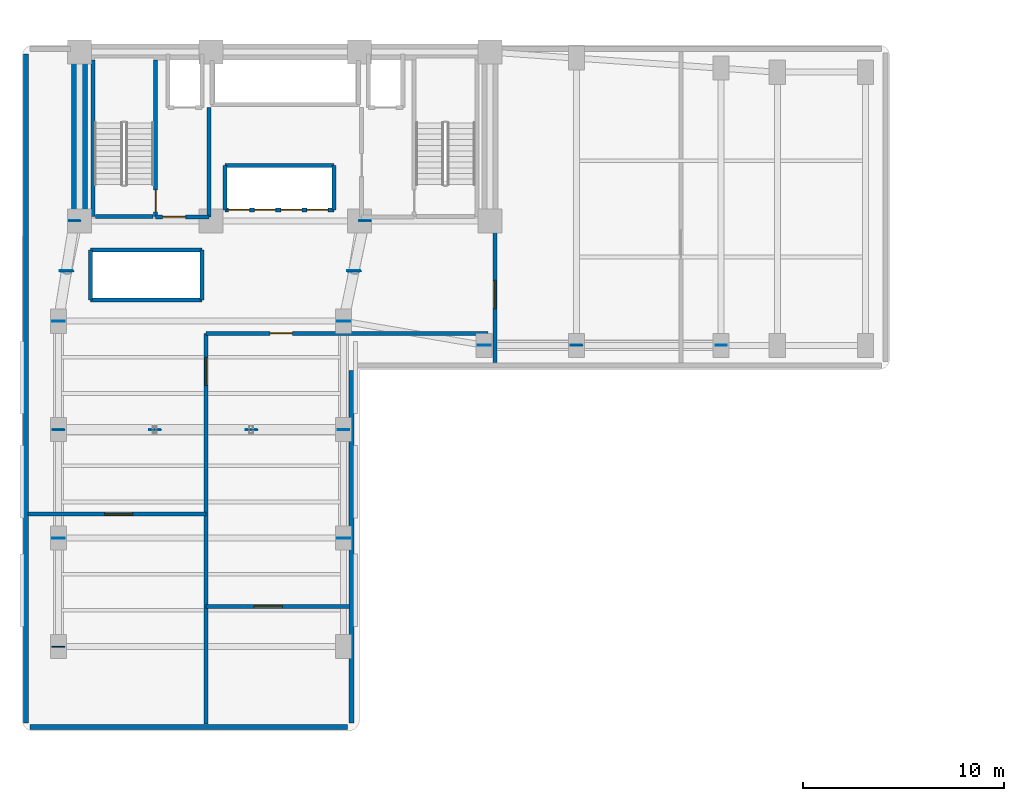
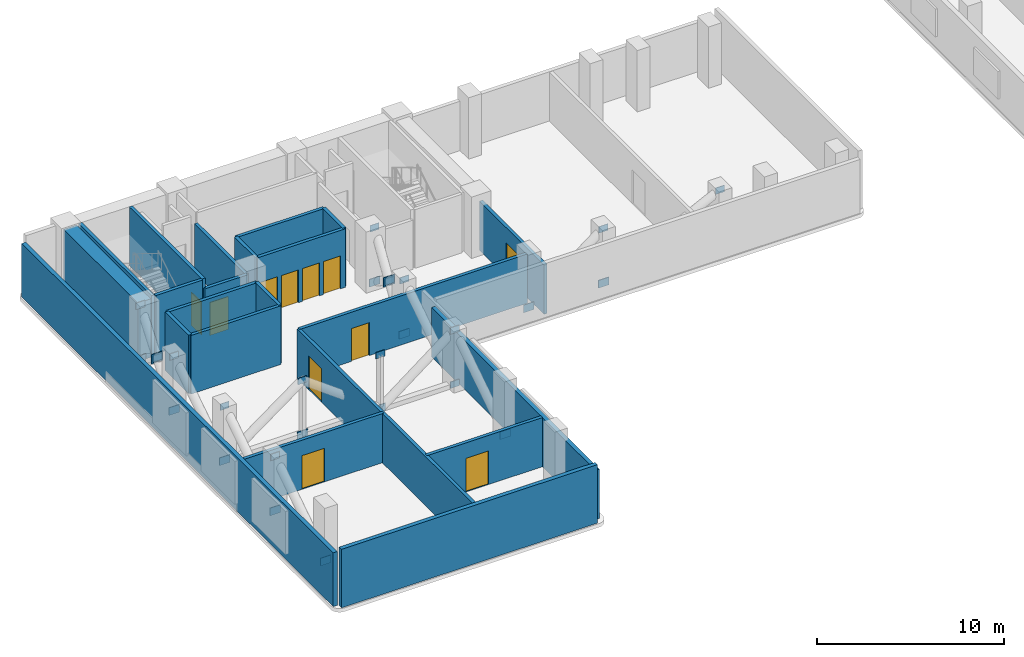
# One storey, part 4 of 9: 30 plates, 22 walls, 11 doors, 11 openings.
"""IFC4 building model written with IfcOpenShell, lengths in metres."""

from ifc_helpers import new_model, si_unit, direction, frame, frame_2d, origin, origin_2d, place, context, subcontext, project, spatial, rectangle, extrude, material, layer, layer_set, type_object, element, fill, save


model = new_model("IFC4")

# Units and contexts
model_context = context("Model", 3, precision=1e-05, world=origin(), true_north=direction((0.0, 1.0)))
body_context = subcontext(model_context, "Body", "Model", "MODEL_VIEW")
ifc_project = project(units=[si_unit("LENGTHUNIT", "METRE"), si_unit("AREAUNIT", "SQUARE_METRE"), si_unit("VOLUMEUNIT", "CUBIC_METRE"), si_unit("PLANEANGLEUNIT", "RADIAN"), si_unit("MASSUNIT", "GRAM", prefix="KILO")], contexts=[model_context])

# Site, building, storey
site_placement = place(None, origin())
site = spatial("IfcSite", under=ifc_project, at=site_placement, CompositionType="ELEMENT")
building_placement = place(site_placement, origin())
building = spatial("IfcBuilding", under=site, at=building_placement, Name="Kuzgunbayir Cultural Tower", CompositionType="ELEMENT")
storey_placement = place(building_placement, frame((0.0, 0.0, 79.39990234375)))
storey = spatial("IfcBuildingStorey", under=building, at=storey_placement, Name="L22", CompositionType="ELEMENT", Elevation=79.39990234375)

# Plates
ifc_material_1 = material(Name="Steel S460M", Category="steel")
ifc_layer_1 = layer(ifc_material_1, 0.034912109375)
ifc_layer_set_1 = layer_set([ifc_layer_1], Name="Steel S460M")
plate_type_1 = type_object("IfcPlateType", Name="PLT-CAP-END-35", PredefinedType="USERDEFINED", material=ifc_layer_set_1)
for number, where, z_axis, x_axis, name in (
    (1, (5.800048828125, 31.280029296875, 1.66015625), (0.0, 0.0, 1.0), (1.0, 0.0, 0.0), "L22 Hollow End Cap Plate ONT-L22-XW-B1 End"),
    (2, (6.199951171875, 33.800048828125, 3.440185546875), (0.0, 0.0, 1.0), (1.0, 0.0, 0.0), "L22 Hollow End Cap Plate ONT-L22-XW-B2 End"),
    (3, (20.1201171875, 31.280029296875, 1.66015625), (0.0, 0.0, 1.0), (1.0, 0.0, 0.0), "L22 Hollow End Cap Plate ONT-L22-XE-B1 End"),
    (4, (20.64990234375, 33.800048828125, 3.440185546875), (0.0, 0.0, 1.0), (1.0, 0.0, 0.0), "L22 Hollow End Cap Plate ONT-L22-XE-B2 End"),
    (5, (5.39990234375, 23.39990234375, 3.440185546875), (0.0, 0.0, 1.0), (1.0, 0.0, 0.0), "L22 Hollow End Cap Plate ONT-L22-1 End"),
    (6, (19.60009765625, 23.39990234375, 3.440185546875), (0.0, 0.0, 1.0), (1.0, 0.0, 0.0), "L22 Hollow End Cap Plate ONT-L22-3 End"),
    (7, (31.199951171875, 27.60009765625, 3.440185546875), (0.0, 0.0, 1.0), (1.0, 0.0, 0.0), "L22 Hollow End Cap Plate ONT-L22-9 End"),
):
    element("IfcPlate", number, at=place(storey_placement, frame(where, z_axis=z_axis, x_axis=x_axis)), inside=storey, type_object=plate_type_1, Name=name, ObjectType="END_CAP_PLATE", PredefinedType="USERDEFINED", context=body_context, shape_type="SweptSolid", body=[
        extrude(rectangle(XDim=0.550048828125, YDim=0.034912109375, at=origin_2d()), origin(), (0.0, 0.0, 1.0), 0.419921875),
    ])
ifc_layer_2 = layer(ifc_material_1, 0.0400390625)
ifc_layer_set_2 = layer_set([ifc_layer_2], Name="Steel S460M")
plate_type_2 = type_object("IfcPlateType", Name="PLT-CAP-END-40", PredefinedType="USERDEFINED", material=ifc_layer_set_2)
for number, where, z_axis, x_axis, name in (
    (8, (19.60009765625, 23.39990234375, -0.08984375), (0.0, 0.0, 1.0), (1.0, 0.0, 0.0), "L22 Hollow End Cap Plate CHD-L22 End"),
    (9, (10.199951171875, 23.39990234375, 3.440185546875), (0.0, 0.0, 1.0), (1.0, 0.0, 0.0), "L22 Hollow End Cap Plate STR-L22-10 End"),
    (10, (15.0, 23.39990234375, 3.440185546875), (0.0, 0.0, 1.0), (1.0, 0.0, 0.0), "L22 Hollow End Cap Plate STR-L22-15 End"),
    (11, (5.39990234375, 28.800048828125, 3.440185546875), (0.0, 0.0, 1.0), (1.0, 0.0, 0.0), "L22 Hollow End Cap Plate ONT-L22-XW-A End"),
    (12, (19.60009765625, 28.800048828125, 3.440185546875), (0.0, 0.0, 1.0), (1.0, 0.0, 0.0), "L22 Hollow End Cap Plate ONT-L22-XE-A End"),
    (13, (5.39990234375, 18.0, 3.440185546875), (0.0, 0.0, 1.0), (1.0, 0.0, 0.0), "L22 Hollow End Cap Plate ONT-L22-8 End"),
    (14, (38.39990234375, 27.60009765625, 3.440185546875), (0.0, 0.0, 1.0), (1.0, 0.0, 0.0), "L22 Hollow End Cap Plate ONT-L22-10 End"),
):
    element("IfcPlate", number, at=place(storey_placement, frame(where, z_axis=z_axis, x_axis=x_axis)), inside=storey, type_object=plate_type_2, Name=name, ObjectType="END_CAP_PLATE", PredefinedType="USERDEFINED", context=body_context, shape_type="SweptSolid", body=[
        extrude(rectangle(XDim=0.550048828125, YDim=0.0400390625, at=origin_2d()), origin(), (0.0, 0.0, 1.0), 0.419921875),
    ])
ifc_layer_3 = layer(ifc_material_1, 0.044921875)
ifc_layer_set_3 = layer_set([ifc_layer_3], Name="Steel S460M")
plate_type_3 = type_object("IfcPlateType", Name="PLT-NODE-GUSSET-45", PredefinedType="USERDEFINED", material=ifc_layer_set_3)
for number, where, z_axis, x_axis, name in (
    (15, (5.39990234375, 28.800048828125, -0.1298828125), (0.0, 0.0, 1.0), (1.0, 0.0, 0.0), "L22 Truss Gusset Plate ONT-L22-XW-B1 Start"),
    (16, (5.800048828125, 31.320068359375, 1.64013671875), (0.0, 0.0, 1.0), (1.0, 0.0, 0.0), "L22 Truss Gusset Plate ONT-L22-XW-B2 Start"),
    (17, (19.60009765625, 28.800048828125, -0.1298828125), (0.0, 0.0, 1.0), (1.0, 0.0, 0.0), "L22 Truss Gusset Plate ONT-L22-XE-B1 Start"),
    (18, (20.1201171875, 31.320068359375, 1.64013671875), (0.0, 0.0, 1.0), (1.0, 0.0, 0.0), "L22 Truss Gusset Plate ONT-L22-XE-B2 Start"),
    (19, (5.39990234375, 18.0, -0.1298828125), (0.0, 0.0, 1.0), (1.0, 0.0, 0.0), "L22 Truss Gusset Plate ONT-L22-1 Start"),
    (20, (19.60009765625, 18.0, -0.1298828125), (0.0, 0.0, 1.0), (1.0, 0.0, 0.0), "L22 Truss Gusset Plate ONT-L22-3 Start"),
    (21, (26.60009765625, 27.60009765625, -0.1298828125), (0.0, 0.0, 1.0), (1.0, 0.0, 0.0), "L22 Truss Gusset Plate ONT-L22-9 Start"),
):
    element("IfcPlate", number, at=place(storey_placement, frame(where, z_axis=z_axis, x_axis=x_axis)), inside=storey, type_object=plate_type_3, Name=name, ObjectType="GUSSET_PLATE", PredefinedType="USERDEFINED", context=body_context, shape_type="SweptSolid", body=[
        extrude(rectangle(XDim=0.64990234375, YDim=0.044921875, at=origin_2d()), origin(), (0.0, 0.0, 1.0), 0.5),
    ])
ifc_layer_4 = layer(ifc_material_1, 0.050048828125)
ifc_layer_set_4 = layer_set([ifc_layer_4], Name="Steel S460M")
plate_type_4 = type_object("IfcPlateType", Name="PLT-NODE-GUSSET-50", PredefinedType="USERDEFINED", material=ifc_layer_set_4)
for number, where, z_axis, x_axis, name in (
    (22, (5.39990234375, 23.39990234375, -0.1298828125), (0.0, 0.0, 1.0), (1.0, 0.0, 0.0), "L22 Truss Gusset Plate CHD-L22 Start"),
    (23, (10.199951171875, 23.39990234375, -0.1298828125), (0.0, 0.0, 1.0), (1.0, 0.0, 0.0), "L22 Truss Gusset Plate STR-L22-10 Start"),
    (24, (15.0, 23.39990234375, -0.1298828125), (0.0, 0.0, 1.0), (1.0, 0.0, 0.0), "L22 Truss Gusset Plate STR-L22-15 Start"),
    (25, (6.199951171875, 33.800048828125, -0.1298828125), (0.0, 0.0, 1.0), (1.0, 0.0, 0.0), "L22 Truss Gusset Plate ONT-L22-XW-A Start"),
):
    element("IfcPlate", number, at=place(storey_placement, frame(where, z_axis=z_axis, x_axis=x_axis)), inside=storey, type_object=plate_type_4, Name=name, ObjectType="GUSSET_PLATE", PredefinedType="USERDEFINED", context=body_context, shape_type="SweptSolid", body=[
        extrude(rectangle(XDim=0.64990234375, YDim=0.050048828125, at=origin_2d()), origin(), (0.0, 0.0, 1.0), 0.5),
    ])
plate_1_placement = place(storey_placement, frame((5.800048828125, 31.300048828125, 1.570068359375), z_axis=(0.0, 0.0, 1.0), x_axis=(1.0, 0.0, 0.0)))
element("IfcPlate", 26, at=plate_1_placement, inside=storey, type_object=plate_type_4, Name="L22 X-Brace Central Crossing Gusset Plate ONT-L22-XW", ObjectType="GUSSET_PLATE", PredefinedType="USERDEFINED", context=body_context, shape_type="SweptSolid", body=[
    extrude(rectangle(XDim=0.719970703125, YDim=0.050048828125, at=origin_2d()), origin(), (0.0, 0.0, 1.0), 0.6201171875),
])
plate_2_placement = place(storey_placement, frame((20.64990234375, 33.800048828125, -0.1298828125), z_axis=(0.0, 0.0, 1.0), x_axis=(1.0, 0.0, 0.0)))
element("IfcPlate", 27, at=plate_2_placement, inside=storey, type_object=plate_type_4, Name="L22 Truss Gusset Plate ONT-L22-XE-A Start", ObjectType="GUSSET_PLATE", PredefinedType="USERDEFINED", context=body_context, shape_type="SweptSolid", body=[
    extrude(rectangle(XDim=0.64990234375, YDim=0.050048828125, at=origin_2d()), origin(), (0.0, 0.0, 1.0), 0.5),
])
plate_3_placement = place(storey_placement, frame((20.1201171875, 31.300048828125, 1.570068359375), z_axis=(0.0, 0.0, 1.0), x_axis=(1.0, 0.0, 0.0)))
element("IfcPlate", 28, at=plate_3_placement, inside=storey, type_object=plate_type_4, Name="L22 X-Brace Central Crossing Gusset Plate ONT-L22-XE", ObjectType="GUSSET_PLATE", PredefinedType="USERDEFINED", context=body_context, shape_type="SweptSolid", body=[
    extrude(rectangle(XDim=0.719970703125, YDim=0.050048828125, at=origin_2d()), origin(), (0.0, 0.0, 1.0), 0.6201171875),
])
for number, where, z_axis, x_axis, name in (
    (29, (5.39990234375, 12.60009765625, -0.1298828125), (0.0, 0.0, 1.0), (1.0, 0.0, 0.0), "L22 Truss Gusset Plate ONT-L22-8 Start"),
    (30, (31.199951171875, 27.60009765625, -0.1298828125), (0.0, 0.0, 1.0), (1.0, 0.0, 0.0), "L22 Truss Gusset Plate ONT-L22-10 Start"),
):
    element("IfcPlate", number, at=place(storey_placement, frame(where, z_axis=z_axis, x_axis=x_axis)), inside=storey, type_object=plate_type_4, Name=name, ObjectType="GUSSET_PLATE", PredefinedType="USERDEFINED", context=body_context, shape_type="SweptSolid", body=[
        extrude(rectangle(XDim=0.64990234375, YDim=0.050048828125, at=origin_2d()), origin(), (0.0, 0.0, 1.0), 0.5),
    ])

# Walls
ifc_material_2 = material(Name="Concrete C60/75", Category="concrete")
ifc_layer_5 = layer(ifc_material_2, 0.800048828125)
ifc_layer_set_5 = layer_set([ifc_layer_5], Name="Concrete C60/75")
wall_type_1 = type_object("IfcWallType", Name="WAL-CORE-800", PredefinedType="SHEAR", material=ifc_layer_set_5)
wall_1_placement = place(storey_placement, frame((6.449951171875, 33.800048828125, 0.0), z_axis=(0.0, 0.0, 1.0), x_axis=(0.0, 1.0, 0.0)))
element("IfcWall", 31, at=wall_1_placement, inside=storey, type_object=wall_type_1, Name="L22 T1 Core West Shear Wall", PredefinedType="SHEAR", context=body_context, shape_type="SweptSolid", body=[
    extrude(rectangle(XDim=7.949951171875, YDim=0.800048828125, at=frame_2d((3.97509765625, 0.0))), origin(), (0.0, 0.0, 1.0), 3.820068359375),
])
ifc_material_3 = material(Name="Concrete C40/50", Category="concrete")
ifc_layer_6 = layer(ifc_material_3, 0.25)
ifc_layer_set_6 = layer_set([ifc_layer_6], Name="Concrete C40/50")
wall_type_2 = type_object("IfcWallType", Name="WAL-EXT-PLANT-250", PredefinedType="STANDARD", material=ifc_layer_set_6)
wall_2_placement = place(storey_placement, frame((4.0, 8.60009765625, 0.0), z_axis=(0.0, 0.0, 1.0), x_axis=(1.0, 0.0, 0.0)))
element("IfcWall", 32, at=wall_2_placement, inside=storey, type_object=wall_type_2, Name="L22 Wing A South Limestone Wall", PredefinedType="STANDARD", context=body_context, shape_type="SweptSolid", body=[
    extrude(rectangle(XDim=15.800048828125, YDim=0.25, at=frame_2d((7.89990234375, 0.0))), origin(), (0.0, 0.0, 1.0), 3.820068359375),
])
wall_3_placement = place(storey_placement, frame((3.800048828125, 42.10009765625, 0.0), z_axis=(0.0, 0.0, 1.0), x_axis=(0.0, -1.0, 0.0)))
element("IfcWall", 33, at=wall_3_placement, inside=storey, type_object=wall_type_2, Name="L22 Wing A West Limestone Wall", PredefinedType="STANDARD", context=body_context, shape_type="SweptSolid", body=[
    extrude(rectangle(XDim=33.300048828125, YDim=0.25, at=frame_2d((16.64990234375, 0.0))), origin(), (0.0, 0.0, 1.0), 3.510009765625),
])
wall_4_placement = place(storey_placement, frame((20.0, 8.800048828125, 0.0), z_axis=(0.0, 0.0, 1.0), x_axis=(0.0, 1.0, 0.0)))
element("IfcWall", 34, at=wall_4_placement, inside=storey, type_object=wall_type_2, Name="L22 Wing A East Limestone Wall", PredefinedType="STANDARD", context=body_context, shape_type="SweptSolid", body=[
    extrude(rectangle(XDim=17.550048828125, YDim=0.25, at=frame_2d((8.77490234375, 0.0))), origin(), (0.0, 0.0, 1.0), 3.210205078125),
])
ifc_material_4 = material(Name="Aerated Concrete Blockwork", Category="masonry")
ifc_layer_7 = layer(ifc_material_4, 0.199951171875)
ifc_layer_set_7 = layer_set([ifc_layer_7], Name="Aerated Concrete Blockwork")
wall_type_3 = type_object("IfcWallType", Name="WAL-PART-FIRE-200", PredefinedType="PARTITIONING", material=ifc_layer_set_7)
wall_5_placement = place(storey_placement, frame((12.89990234375, 34.0, 0.0), z_axis=(0.0, 0.0, 1.0), x_axis=(0.0, 1.0, 0.0)))
element("IfcWall", 35, at=wall_5_placement, inside=storey, type_object=wall_type_3, Name="L22 FFL-1 Lobby East Fire Wall", PredefinedType="PARTITIONING", context=body_context, shape_type="SweptSolid", body=[
    extrude(rectangle(XDim=5.449951171875, YDim=0.199951171875, at=frame_2d((2.72509765625, 0.0))), origin(), (0.0, 0.0, 1.0), 3.210205078125),
])

# Wall, opening, door
wall_6_placement = place(storey_placement, frame((10.239990234375, 34.0, 0.0), z_axis=(0.0, 0.0, 1.0), x_axis=(1.0, 0.0, 0.0)))
wall_6 = element("IfcWall", 36, at=wall_6_placement, inside=storey, type_object=wall_type_3, Name="L22 FFL-1 Lobby South Fire Wall", PredefinedType="PARTITIONING", context=body_context, shape_type="SweptSolid", body=[
    extrude(rectangle(XDim=2.659912109375, YDim=0.199951171875, at=frame_2d((1.330078125, 0.0))), origin(), (0.0, 0.0, 1.0), 3.210205078125),
])
opening_1_placement = place(wall_6_placement, frame((0.35009765625, 0.0, 0.0)))
opening_1 = element("IfcOpeningElement", 37, at=opening_1_placement, cuts=wall_6, Name="Opening DR-FFL-90", PredefinedType="OPENING", context=body_context, shape_type="SweptSolid", body=[
    extrude(rectangle(XDim=1.14990234375, YDim=2.14990234375, at=frame_2d((0.574951171875, 1.074951171875))), frame((0.0, 0.10986328125, 0.0), z_axis=(0.0, -1.0, 0.0), x_axis=(1.0, 0.0, 0.0)), (0.0, 0.0, 1.0), 0.219970703125),
])
ifc_material_5 = material(Name="Steel S355J2", Category="steel")
door_type_1 = type_object("IfcDoorType", Name="DR-FFL-90", OperationType="NOTDEFINED", PredefinedType="DOOR", material=ifc_material_5)
door_1_placement = place(opening_1_placement, origin())
door_1 = element("IfcDoor", 38, at=door_1_placement, inside=storey, type_object=door_type_1, Name="L22 Firefighting Lobby 1 Door", OperationType="SINGLE_SWING_LEFT", OverallHeight=2.14990234375, OverallWidth=1.14990234375, PredefinedType="DOOR", context=body_context, shape_type="SweptSolid", body=[
    extrude(rectangle(XDim=1.14990234375, YDim=2.14990234375, at=frame_2d((0.574951171875, 1.074951171875))), frame((0.0, 0.02490234375, 0.0), z_axis=(0.0, -1.0, 0.0), x_axis=(1.0, 0.0, 0.0)), (0.0, 0.0, 1.0), 0.050048828125),
])
fill(opening_1, door_1)

wall_7_placement = place(storey_placement, frame((12.75, 28.199951171875, 0.0), z_axis=(0.0, 0.0, 1.0), x_axis=(1.0, 0.0, 0.0)))
wall_7 = element("IfcWall", 39, at=wall_7_placement, inside=storey, type_object=wall_type_3, Name="L22 Plant Corridor South Fire Wall", PredefinedType="PARTITIONING", context=body_context, shape_type="SweptSolid", body=[
    extrude(rectangle(XDim=14.050048828125, YDim=0.199951171875, at=frame_2d((7.02490234375, 0.0))), origin(), (0.0, 0.0, 1.0), 3.210205078125),
])
opening_2_placement = place(wall_7_placement, frame((3.199951171875, 0.0, 0.0)))
opening_2 = element("IfcOpeningElement", 40, at=opening_2_placement, cuts=wall_7, Name="Opening DR-STAIR-90", PredefinedType="OPENING", context=body_context, shape_type="SweptSolid", body=[
    extrude(rectangle(XDim=1.10009765625, YDim=2.14990234375, at=frame_2d((0.550048828125, 1.074951171875))), frame((0.0, 0.10986328125, 0.0), z_axis=(0.0, -1.0, 0.0), x_axis=(1.0, 0.0, 0.0)), (0.0, 0.0, 1.0), 0.219970703125),
])
door_type_2 = type_object("IfcDoorType", Name="DR-STAIR-90", OperationType="NOTDEFINED", PredefinedType="DOOR", material=ifc_material_5)
door_2_placement = place(opening_2_placement, origin())
door_2 = element("IfcDoor", 41, at=door_2_placement, inside=storey, type_object=door_type_2, Name="L22 Sky Refuge Entry Door", OperationType="SINGLE_SWING_RIGHT", OverallHeight=2.14990234375, OverallWidth=1.10009765625, PredefinedType="DOOR", context=body_context, shape_type="SweptSolid", body=[
    extrude(rectangle(XDim=1.10009765625, YDim=2.14990234375, at=frame_2d((0.550048828125, 1.074951171875))), frame((0.0, 0.02490234375, 0.0), z_axis=(0.0, -1.0, 0.0), x_axis=(1.0, 0.0, 0.0)), (0.0, 0.0, 1.0), 0.050048828125),
])
fill(opening_2, door_2)

wall_8_placement = place(storey_placement, frame((12.75, 8.75, 0.0), z_axis=(0.0, 0.0, 1.0), x_axis=(0.0, 1.0, 0.0)))
wall_8 = element("IfcWall", 42, at=wall_8_placement, inside=storey, type_object=wall_type_3, Name="L22 Refuge Area West Fire Wall", PredefinedType="PARTITIONING", context=body_context, shape_type="SweptSolid", body=[
    extrude(rectangle(XDim=19.449951171875, YDim=0.199951171875, at=frame_2d((9.72509765625, 0.0))), origin(), (0.0, 0.0, 1.0), 3.210205078125),
])
opening_3_placement = place(wall_8_placement, frame((16.85009765625, 0.0, 0.0)))
opening_3 = element("IfcOpeningElement", 43, at=opening_3_placement, cuts=wall_8, Name="Opening DR-PLANT-90", PredefinedType="OPENING", context=body_context, shape_type="SweptSolid", body=[
    extrude(rectangle(XDim=1.39990234375, YDim=2.199951171875, at=frame_2d((0.699951171875, 1.10009765625))), frame((0.0, 0.10986328125, 0.0), z_axis=(0.0, -1.0, 0.0), x_axis=(1.0, 0.0, 0.0)), (0.0, 0.0, 1.0), 0.219970703125),
])
ifc_material_6 = material(Name="Acoustic Steel Double Leaf", Category="steel")
door_type_3 = type_object("IfcDoorType", Name="DR-PLANT-90", OperationType="DOUBLE_DOOR_SINGLE_SWING", PredefinedType="DOOR", material=ifc_material_6)
door_3_placement = place(opening_3_placement, origin())
door_3 = element("IfcDoor", 44, at=door_3_placement, inside=storey, type_object=door_type_3, Name="L22 North AHU Plant Door", OperationType="DOUBLE_DOOR_SINGLE_SWING", OverallHeight=2.199951171875, OverallWidth=1.39990234375, PredefinedType="DOOR", context=body_context, shape_type="SweptSolid", body=[
    extrude(rectangle(XDim=1.39990234375, YDim=2.199951171875, at=frame_2d((0.699951171875, 1.10009765625))), frame((0.0, 0.02490234375, 0.0), z_axis=(0.0, -1.0, 0.0), x_axis=(1.0, 0.0, 0.0)), (0.0, 0.0, 1.0), 0.050048828125),
])
fill(opening_3, door_3)

wall_9_placement = place(storey_placement, frame((12.75, 14.60009765625, 0.0), z_axis=(0.0, 0.0, 1.0), x_axis=(1.0, 0.0, 0.0)))
wall_9 = element("IfcWall", 45, at=wall_9_placement, inside=storey, type_object=wall_type_3, Name="L22 South Plant Fire Wall", PredefinedType="PARTITIONING", context=body_context, shape_type="SweptSolid", body=[
    extrude(rectangle(XDim=7.14990234375, YDim=0.199951171875, at=frame_2d((3.574951171875, 0.0))), origin(), (0.0, 0.0, 1.0), 3.210205078125),
])
opening_4_placement = place(wall_9_placement, frame((2.39990234375, 0.0, 0.0)))
opening_4 = element("IfcOpeningElement", 46, at=opening_4_placement, cuts=wall_9, Name="Opening DR-PLANT-90", PredefinedType="OPENING", context=body_context, shape_type="SweptSolid", body=[
    extrude(rectangle(XDim=1.39990234375, YDim=2.199951171875, at=frame_2d((0.699951171875, 1.10009765625))), frame((0.0, 0.10986328125, 0.0), z_axis=(0.0, -1.0, 0.0), x_axis=(1.0, 0.0, 0.0)), (0.0, 0.0, 1.0), 0.219970703125),
])
door_4_placement = place(opening_4_placement, origin())
door_4 = element("IfcDoor", 47, at=door_4_placement, inside=storey, type_object=door_type_3, Name="L22 Electrical Plant Door", OperationType="DOUBLE_DOOR_SINGLE_SWING", OverallHeight=2.199951171875, OverallWidth=1.39990234375, PredefinedType="DOOR", context=body_context, shape_type="SweptSolid", body=[
    extrude(rectangle(XDim=1.39990234375, YDim=2.199951171875, at=frame_2d((0.699951171875, 1.10009765625))), frame((0.0, 0.02490234375, 0.0), z_axis=(0.0, -1.0, 0.0), x_axis=(1.0, 0.0, 0.0)), (0.0, 0.0, 1.0), 0.050048828125),
])
fill(opening_4, door_4)

wall_10_placement = place(storey_placement, frame((3.89990234375, 19.199951171875, 0.0), z_axis=(0.0, 0.0, 1.0), x_axis=(1.0, 0.0, 0.0)))
wall_10 = element("IfcWall", 48, at=wall_10_placement, inside=storey, type_object=wall_type_3, Name="L22 West Plant Sub-Compartment Wall", PredefinedType="PARTITIONING", context=body_context, shape_type="SweptSolid", body=[
    extrude(rectangle(XDim=8.85009765625, YDim=0.199951171875, at=frame_2d((4.425048828125, 0.0))), origin(), (0.0, 0.0, 1.0), 3.210205078125),
])
opening_5_placement = place(wall_10_placement, frame((3.800048828125, 0.0, 0.0)))
opening_5 = element("IfcOpeningElement", 49, at=opening_5_placement, cuts=wall_10, Name="Opening DR-PLANT-90", PredefinedType="OPENING", context=body_context, shape_type="SweptSolid", body=[
    extrude(rectangle(XDim=1.39990234375, YDim=2.199951171875, at=frame_2d((0.699951171875, 1.10009765625))), frame((0.0, 0.10986328125, 0.0), z_axis=(0.0, -1.0, 0.0), x_axis=(1.0, 0.0, 0.0)), (0.0, 0.0, 1.0), 0.219970703125),
])
door_5_placement = place(opening_5_placement, origin())
door_5 = element("IfcDoor", 50, at=door_5_placement, inside=storey, type_object=door_type_3, Name="L22 South Plant Sub-Compartment Door", OperationType="DOUBLE_DOOR_SINGLE_SWING", OverallHeight=2.199951171875, OverallWidth=1.39990234375, PredefinedType="DOOR", context=body_context, shape_type="SweptSolid", body=[
    extrude(rectangle(XDim=1.39990234375, YDim=2.199951171875, at=frame_2d((0.699951171875, 1.10009765625))), frame((0.0, 0.02490234375, 0.0), z_axis=(0.0, -1.0, 0.0), x_axis=(1.0, 0.0, 0.0)), (0.0, 0.0, 1.0), 0.050048828125),
])
fill(opening_5, door_5)

wall_11_placement = place(storey_placement, frame((27.14990234375, 26.75, 0.0), z_axis=(0.0, 0.0, 1.0), x_axis=(0.0, 1.0, 0.0)))
wall_11 = element("IfcWall", 51, at=wall_11_placement, inside=storey, type_object=wall_type_3, Name="L22 East Plant Wing Fire Wall", PredefinedType="PARTITIONING", context=body_context, shape_type="SweptSolid", body=[
    extrude(rectangle(XDim=6.89990234375, YDim=0.199951171875, at=frame_2d((3.449951171875, 0.0))), origin(), (0.0, 0.0, 1.0), 3.210205078125),
])
opening_6_placement = place(wall_11_placement, frame((2.679931640625, 0.0, 0.0)))
opening_6 = element("IfcOpeningElement", 52, at=opening_6_placement, cuts=wall_11, Name="Opening DR-PLANT-90", PredefinedType="OPENING", context=body_context, shape_type="SweptSolid", body=[
    extrude(rectangle(XDim=1.39990234375, YDim=2.199951171875, at=frame_2d((0.699951171875, 1.10009765625))), frame((0.0, 0.10986328125, 0.0), z_axis=(0.0, -1.0, 0.0), x_axis=(1.0, 0.0, 0.0)), (0.0, 0.0, 1.0), 0.219970703125),
])
door_6_placement = place(opening_6_placement, origin())
door_6 = element("IfcDoor", 53, at=door_6_placement, inside=storey, type_object=door_type_3, Name="L22 Booster Pump Room Door", OperationType="DOUBLE_DOOR_SINGLE_SWING", OverallHeight=2.199951171875, OverallWidth=1.39990234375, PredefinedType="DOOR", context=body_context, shape_type="SweptSolid", body=[
    extrude(rectangle(XDim=1.39990234375, YDim=2.199951171875, at=frame_2d((0.699951171875, 1.10009765625))), frame((0.0, 0.02490234375, 0.0), z_axis=(0.0, -1.0, 0.0), x_axis=(1.0, 0.0, 0.0)), (0.0, 0.0, 1.0), 0.050048828125),
])
fill(opening_6, door_6)

# Walls
ifc_layer_8 = layer(ifc_material_3, 0.199951171875)
ifc_layer_set_8 = layer_set([ifc_layer_8], Name="Concrete C40/50")
wall_type_4 = type_object("IfcWallType", Name="WAL-SHAFT-200", PredefinedType="MOVABLE", material=ifc_layer_set_8)
for number, where, z_axis, x_axis, name in (
    (54, (7.0, 29.85009765625, 0.0), (0.0, 0.0, 1.0), (1.0, 0.0, 0.0), "L22 High-Rise Lift Shaft South Wall"),
    (55, (7.0, 32.35009765625, 0.0), (0.0, 0.0, 1.0), (1.0, 0.0, 0.0), "L22 High-Rise Lift Shaft North Wall"),
):
    element("IfcWall", number, at=place(storey_placement, frame(where, z_axis=z_axis, x_axis=x_axis)), inside=storey, type_object=wall_type_4, Name=name, PredefinedType="MOVABLE", context=body_context, shape_type="SweptSolid", body=[
        extrude(rectangle(XDim=5.550048828125, YDim=0.199951171875, at=frame_2d((2.77490234375, 0.0))), origin(), (0.0, 0.0, 1.0), 3.820068359375),
    ])
for number, where, z_axis, x_axis, name in (
    (56, (7.0, 29.85009765625, 0.0), (0.0, 0.0, 1.0), (0.0, 1.0, 0.0), "L22 High-Rise Lift Shaft West Wall"),
    (57, (12.550048828125, 29.85009765625, 0.0), (0.0, 0.0, 1.0), (0.0, 1.0, 0.0), "L22 High-Rise Lift Shaft East Wall"),
):
    element("IfcWall", number, at=place(storey_placement, frame(where, z_axis=z_axis, x_axis=x_axis)), inside=storey, type_object=wall_type_4, Name=name, PredefinedType="MOVABLE", context=body_context, shape_type="SweptSolid", body=[
        extrude(rectangle(XDim=2.5, YDim=0.199951171875, at=frame_2d((1.25, 0.0))), origin(), (0.0, 0.0, 1.0), 3.820068359375),
    ])

# Wall, openings, doors
wall_12_placement = place(storey_placement, frame((13.699951171875, 34.35009765625, 0.0), z_axis=(0.0, 0.0, 1.0), x_axis=(1.0, 0.0, 0.0)))
wall_12 = element("IfcWall", 58, at=wall_12_placement, inside=storey, type_object=wall_type_4, Name="L22 Mid-Rise Lift Front Wall", PredefinedType="MOVABLE", context=body_context, shape_type="SweptSolid", body=[
    extrude(rectangle(XDim=5.420166015625, YDim=0.199951171875, at=frame_2d((2.7099609375, 0.0))), origin(), (0.0, 0.0, 1.0), 3.820068359375),
])
opening_7_placement = place(wall_12_placement, frame((0.179931640625, 0.0, 0.0)))
opening_7 = element("IfcOpeningElement", 59, at=opening_7_placement, cuts=wall_12, Name="Opening LD", PredefinedType="OPENING", context=body_context, shape_type="SweptSolid", body=[
    extrude(rectangle(XDim=1.050048828125, YDim=2.14990234375, at=frame_2d((0.52490234375, 1.074951171875))), frame((0.0, 0.10986328125, 0.0), z_axis=(0.0, -1.0, 0.0), x_axis=(1.0, 0.0, 0.0)), (0.0, 0.0, 1.0), 0.219970703125),
])
opening_8_placement = place(wall_12_placement, frame((1.469970703125, 0.0, 0.0)))
opening_8 = element("IfcOpeningElement", 60, at=opening_8_placement, cuts=wall_12, Name="Opening LD", PredefinedType="OPENING", context=body_context, shape_type="SweptSolid", body=[
    extrude(rectangle(XDim=1.050048828125, YDim=2.14990234375, at=frame_2d((0.52490234375, 1.074951171875))), frame((0.0, 0.10986328125, 0.0), z_axis=(0.0, -1.0, 0.0), x_axis=(1.0, 0.0, 0.0)), (0.0, 0.0, 1.0), 0.219970703125),
])
opening_9_placement = place(wall_12_placement, frame((2.780029296875, 0.0, 0.0)))
opening_9 = element("IfcOpeningElement", 61, at=opening_9_placement, cuts=wall_12, Name="Opening LD", PredefinedType="OPENING", context=body_context, shape_type="SweptSolid", body=[
    extrude(rectangle(XDim=1.050048828125, YDim=2.14990234375, at=frame_2d((0.52490234375, 1.074951171875))), frame((0.0, 0.10986328125, 0.0), z_axis=(0.0, -1.0, 0.0), x_axis=(1.0, 0.0, 0.0)), (0.0, 0.0, 1.0), 0.219970703125),
])
opening_10_placement = place(wall_12_placement, frame((4.080078125, 0.0, 0.0)))
opening_10 = element("IfcOpeningElement", 62, at=opening_10_placement, cuts=wall_12, Name="Opening LD", PredefinedType="OPENING", context=body_context, shape_type="SweptSolid", body=[
    extrude(rectangle(XDim=1.050048828125, YDim=2.14990234375, at=frame_2d((0.52490234375, 1.074951171875))), frame((0.0, 0.10986328125, 0.0), z_axis=(0.0, -1.0, 0.0), x_axis=(1.0, 0.0, 0.0)), (0.0, 0.0, 1.0), 0.219970703125),
])
ifc_material_7 = material(Name="Brushed Stainless Steel", Category="steel")
door_type_4 = type_object("IfcDoorType", Name="DR-LIFT-LANDING", OperationType="SLIDING_TO_LEFT", PredefinedType="DOOR", material=ifc_material_7)
door_7_placement = place(opening_7_placement, origin())
door_7 = element("IfcDoor", 63, at=door_7_placement, inside=storey, type_object=door_type_4, Name="L22 Lift PM-1 Landing Door", OperationType="SLIDING_TO_LEFT", OverallHeight=2.14990234375, OverallWidth=1.050048828125, PredefinedType="DOOR", context=body_context, shape_type="SweptSolid", body=[
    extrude(rectangle(XDim=1.050048828125, YDim=2.14990234375, at=frame_2d((0.52490234375, 1.074951171875))), frame((0.0, 0.02490234375, 0.0), z_axis=(0.0, -1.0, 0.0), x_axis=(1.0, 0.0, 0.0)), (0.0, 0.0, 1.0), 0.050048828125),
])
fill(opening_7, door_7)
door_8_placement = place(opening_8_placement, origin())
door_8 = element("IfcDoor", 64, at=door_8_placement, inside=storey, type_object=door_type_4, Name="L22 Lift PM-2 Landing Door", OperationType="SLIDING_TO_LEFT", OverallHeight=2.14990234375, OverallWidth=1.050048828125, PredefinedType="DOOR", context=body_context, shape_type="SweptSolid", body=[
    extrude(rectangle(XDim=1.050048828125, YDim=2.14990234375, at=frame_2d((0.52490234375, 1.074951171875))), frame((0.0, 0.02490234375, 0.0), z_axis=(0.0, -1.0, 0.0), x_axis=(1.0, 0.0, 0.0)), (0.0, 0.0, 1.0), 0.050048828125),
])
fill(opening_8, door_8)
door_9_placement = place(opening_9_placement, origin())
door_9 = element("IfcDoor", 65, at=door_9_placement, inside=storey, type_object=door_type_4, Name="L22 Lift PM-3 Landing Door", OperationType="SLIDING_TO_LEFT", OverallHeight=2.14990234375, OverallWidth=1.050048828125, PredefinedType="DOOR", context=body_context, shape_type="SweptSolid", body=[
    extrude(rectangle(XDim=1.050048828125, YDim=2.14990234375, at=frame_2d((0.52490234375, 1.074951171875))), frame((0.0, 0.02490234375, 0.0), z_axis=(0.0, -1.0, 0.0), x_axis=(1.0, 0.0, 0.0)), (0.0, 0.0, 1.0), 0.050048828125),
])
fill(opening_9, door_9)
door_10_placement = place(opening_10_placement, origin())
door_10 = element("IfcDoor", 66, at=door_10_placement, inside=storey, type_object=door_type_4, Name="L22 Lift PM-4 Landing Door", OperationType="SLIDING_TO_LEFT", OverallHeight=2.14990234375, OverallWidth=1.050048828125, PredefinedType="DOOR", context=body_context, shape_type="SweptSolid", body=[
    extrude(rectangle(XDim=1.050048828125, YDim=2.14990234375, at=frame_2d((0.52490234375, 1.074951171875))), frame((0.0, 0.02490234375, 0.0), z_axis=(0.0, -1.0, 0.0), x_axis=(1.0, 0.0, 0.0)), (0.0, 0.0, 1.0), 0.050048828125),
])
fill(opening_10, door_10)

# Walls
wall_13_placement = place(storey_placement, frame((13.699951171875, 36.550048828125, 0.0), z_axis=(0.0, 0.0, 1.0), x_axis=(1.0, 0.0, 0.0)))
element("IfcWall", 67, at=wall_13_placement, inside=storey, type_object=wall_type_4, Name="L22 Mid-Rise Lift Shaft North Wall", PredefinedType="MOVABLE", context=body_context, shape_type="SweptSolid", body=[
    extrude(rectangle(XDim=5.420166015625, YDim=0.199951171875, at=frame_2d((2.7099609375, 0.0))), origin(), (0.0, 0.0, 1.0), 3.820068359375),
])
for number, where, z_axis, x_axis, name in (
    (68, (13.699951171875, 34.35009765625, 0.0), (0.0, 0.0, 1.0), (0.0, 1.0, 0.0), "L22 Mid-Rise Lift Shaft West Wall"),
    (69, (19.1201171875, 34.35009765625, 0.0), (0.0, 0.0, 1.0), (0.0, 1.0, 0.0), "L22 Mid-Rise Lift Shaft East Wall"),
):
    element("IfcWall", number, at=place(storey_placement, frame(where, z_axis=z_axis, x_axis=x_axis)), inside=storey, type_object=wall_type_4, Name=name, PredefinedType="MOVABLE", context=body_context, shape_type="SweptSolid", body=[
        extrude(rectangle(XDim=2.199951171875, YDim=0.199951171875, at=frame_2d((1.10009765625, 0.0))), origin(), (0.0, 0.0, 1.0), 3.820068359375),
    ])
ifc_layer_9 = layer(ifc_material_3, 0.199951171875)
ifc_layer_set_9 = layer_set([ifc_layer_9], Name="Concrete C40/50")
wall_type_5 = type_object("IfcWallType", Name="WAL-STAIR-RC-200", PredefinedType="SHEAR", material=ifc_layer_set_9)
wall_14_placement = place(storey_placement, frame((7.1201171875, 34.02001953125, 0.0), z_axis=(0.0, 0.0, 1.0), x_axis=(0.0, 1.0, 0.0)))
element("IfcWall", 70, at=wall_14_placement, inside=storey, type_object=wall_type_5, Name="L22 Stair ST-1 West Structural Wall", PredefinedType="SHEAR", context=body_context, shape_type="SweptSolid", body=[
    extrude(rectangle(XDim=7.780029296875, YDim=0.199951171875, at=frame_2d((3.89013671875, 0.0))), origin(), (0.0, 0.0, 1.0), 3.820068359375),
])

# Wall, opening, door
wall_15_placement = place(storey_placement, frame((10.239990234375, 34.02001953125, 0.0), z_axis=(0.0, 0.0, 1.0), x_axis=(0.0, 1.0, 0.0)))
wall_15 = element("IfcWall", 71, at=wall_15_placement, inside=storey, type_object=wall_type_5, Name="L22 Stair ST-1 East Structural Wall", PredefinedType="SHEAR", context=body_context, shape_type="SweptSolid", body=[
    extrude(rectangle(XDim=7.780029296875, YDim=0.199951171875, at=frame_2d((3.89013671875, 0.0))), origin(), (0.0, 0.0, 1.0), 3.820068359375),
])
opening_11_placement = place(wall_15_placement, frame((0.219970703125, 0.0, 0.0)))
opening_11 = element("IfcOpeningElement", 72, at=opening_11_placement, cuts=wall_15, Name="Opening DR-STAIR-90", PredefinedType="OPENING", context=body_context, shape_type="SweptSolid", body=[
    extrude(rectangle(XDim=1.10009765625, YDim=2.14990234375, at=frame_2d((0.550048828125, 1.074951171875))), frame((0.0, 0.10986328125, 0.0), z_axis=(0.0, -1.0, 0.0), x_axis=(1.0, 0.0, 0.0)), (0.0, 0.0, 1.0), 0.219970703125),
])
door_11_placement = place(opening_11_placement, origin())
door_11 = element("IfcDoor", 73, at=door_11_placement, inside=storey, type_object=door_type_2, Name="L22 Stair ST-1 Fire Door", OperationType="SINGLE_SWING_RIGHT", OverallHeight=2.14990234375, OverallWidth=1.10009765625, PredefinedType="DOOR", context=body_context, shape_type="SweptSolid", body=[
    extrude(rectangle(XDim=1.10009765625, YDim=2.14990234375, at=frame_2d((0.550048828125, 1.074951171875))), frame((0.0, 0.02490234375, 0.0), z_axis=(0.0, -1.0, 0.0), x_axis=(1.0, 0.0, 0.0)), (0.0, 0.0, 1.0), 0.050048828125),
])
fill(opening_11, door_11)

# Wall
wall_16_placement = place(storey_placement, frame((7.239990234375, 34.02001953125, 0.0), z_axis=(0.0, 0.0, 1.0), x_axis=(1.0, 0.0, 0.0)))
element("IfcWall", 74, at=wall_16_placement, inside=storey, type_object=wall_type_5, Name="L22 Stair ST-1 South Structural Wall", PredefinedType="SHEAR", context=body_context, shape_type="SweptSolid", body=[
    extrude(rectangle(XDim=2.880126953125, YDim=0.199951171875, at=frame_2d((1.43994140625, 0.0))), origin(), (0.0, 0.0, 1.0), 3.820068359375),
])

save(model, "model.ifc")
